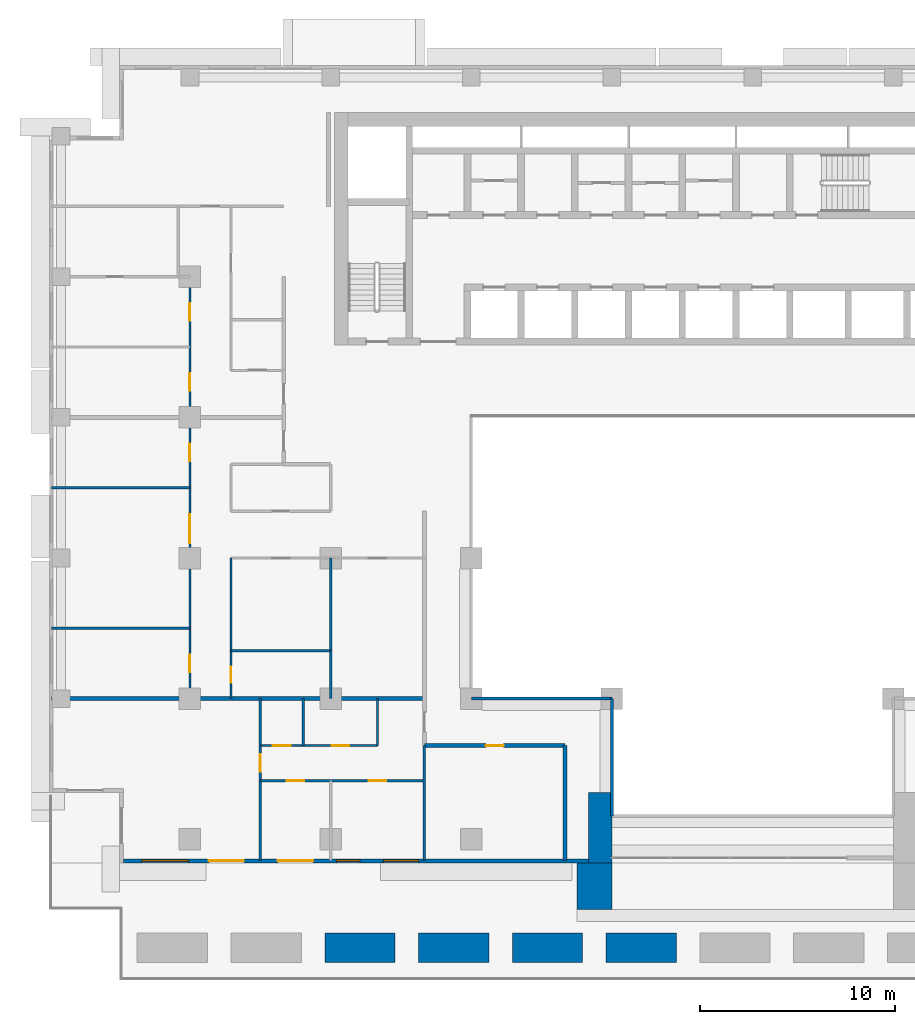
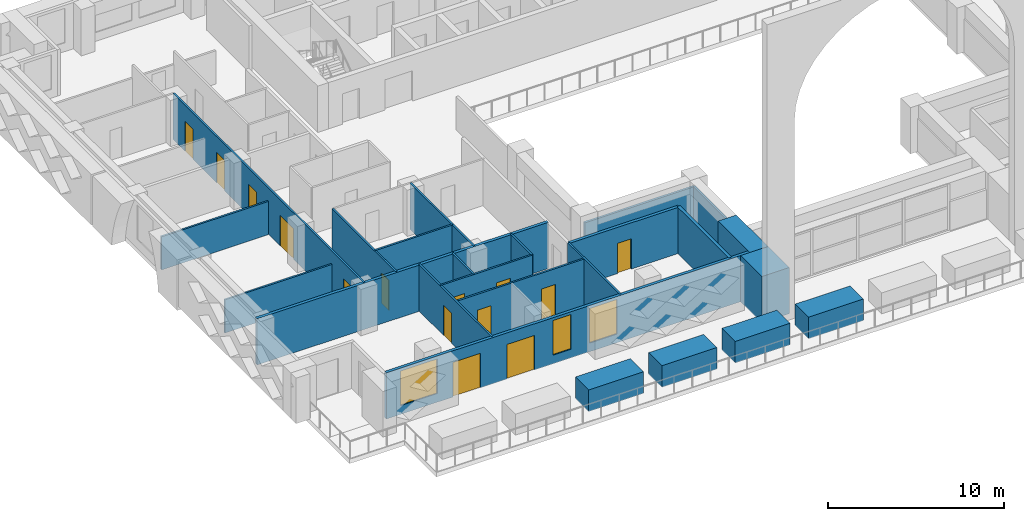
# One storey, part 6 of 17: 24 walls, 14 doors, 3 windows, 17 openings.
"""IFC4 building model written with IfcOpenShell, lengths in metres."""

from ifc_helpers import new_model, si_unit, direction, frame, frame_2d, origin, place, context, subcontext, project, spatial, rectangle, extrude, material, layer, layer_set, type_object, element, fill, save


model = new_model("IFC4")

# Units and contexts
model_context = context("Model", 3, precision=1e-05, world=origin(), true_north=direction((0.0, 1.0)))
body_context = subcontext(model_context, "Body", "Model", "MODEL_VIEW")
ifc_project = project(units=[si_unit("LENGTHUNIT", "METRE"), si_unit("AREAUNIT", "SQUARE_METRE"), si_unit("VOLUMEUNIT", "CUBIC_METRE"), si_unit("PLANEANGLEUNIT", "RADIAN"), si_unit("MASSUNIT", "GRAM", prefix="KILO")], contexts=[model_context])

# Site, building, storey
site_placement = place(None, origin())
site = spatial("IfcSite", under=ifc_project, at=site_placement, CompositionType="ELEMENT")
building_placement = place(site_placement, origin())
building = spatial("IfcBuilding", under=site, at=building_placement, Name="Saffron Iwan Residences", CompositionType="ELEMENT")
storey_placement = place(building_placement, frame((0.0, 0.0, 113.0)))
storey = spatial("IfcBuildingStorey", under=building, at=storey_placement, Name="L29", CompositionType="ELEMENT", Elevation=113.0)

# Walls
ifc_material_1 = material(Name="Fire-rated glazing", Category="glass")
ifc_layer_1 = layer(ifc_material_1, 0.14990234375)
ifc_layer_set_1 = layer_set([ifc_layer_1], Name="Fire-rated glazing")
wall_type_1 = type_object("IfcWallType", Name="Atrium glazed screen 150", PredefinedType="SOLIDWALL", material=ifc_layer_set_1)
wall_1_placement = place(storey_placement, frame((36.0, 48.0, 0.0), z_axis=(0.0, 0.0, 1.0), x_axis=(1.0, 0.0, 0.0)))
element("IfcWall", 1, at=wall_1_placement, inside=storey, type_object=wall_type_1, Name="W-L29-SCREEN-h48-36", PredefinedType="SOLIDWALL", context=body_context, shape_type="SweptSolid", body=[
    extrude(rectangle(XDim=7.199951171875, YDim=0.14990234375, at=frame_2d((3.60009765625, 0.0))), origin(), (0.0, 0.0, 1.0), 2.300048828125),
])
wall_2_placement = place(storey_placement, frame((43.199951171875, 42.0, 0.0), z_axis=(0.0, 0.0, 1.0), x_axis=(0.0, 1.0, 0.0)))
element("IfcWall", 2, at=wall_2_placement, inside=storey, type_object=wall_type_1, Name="W-L29-SCREEN-v43.2-42", PredefinedType="SOLIDWALL", context=body_context, shape_type="SweptSolid", body=[
    extrude(rectangle(XDim=6.0, YDim=0.14990234375, at=frame_2d((3.0, 0.0))), origin(), (0.0, 0.0, 1.0), 2.300048828125),
])

# Wall, openings, doors, windows
ifc_material_2 = material(Name="Concrete C40/50", Category="concrete")
ifc_layer_2 = layer(ifc_material_2, 0.199951171875)
ifc_layer_set_2 = layer_set([ifc_layer_2], Name="Concrete C40/50")
wall_type_2 = type_object("IfcWallType", Name="EXTERNAL WALL 200", PredefinedType="SOLIDWALL", material=ifc_layer_set_2)
wall_3_placement = place(storey_placement, frame((18.199951171875, 39.699951171875, 0.0), z_axis=(0.0, 0.0, 1.0), x_axis=(1.0, 0.0, 0.0)))
wall_3 = element("IfcWall", 3, at=wall_3_placement, inside=storey, type_object=wall_type_2, Name="External wall L29 F11.0", PredefinedType="SOLIDWALL", context=body_context, shape_type="SweptSolid", body=[
    extrude(rectangle(XDim=23.800048828125, YDim=0.199951171875, at=frame_2d((11.89990234375, 0.0))), origin(), (0.0, 0.0, 1.0), 3.199951171875),
])
opening_1_placement = place(wall_3_placement, frame((4.363037109375, 0.0, 0.0)))
opening_1 = element("IfcOpeningElement", 4, at=opening_1_placement, cuts=wall_3, Name="Opening BD1", PredefinedType="OPENING", context=body_context, shape_type="SweptSolid", body=[
    extrude(rectangle(XDim=1.800048828125, YDim=2.39990234375, at=frame_2d((0.89990234375, 1.199951171875))), frame((0.0, 0.10986328125, 0.0), z_axis=(0.0, -1.0, 0.0), x_axis=(1.0, 0.0, 0.0)), (0.0, 0.0, 1.0), 0.219970703125),
])
opening_2_placement = place(wall_3_placement, frame((7.89990234375, 0.0, 0.0)))
opening_2 = element("IfcOpeningElement", 5, at=opening_2_placement, cuts=wall_3, Name="Opening BD1", PredefinedType="OPENING", context=body_context, shape_type="SweptSolid", body=[
    extrude(rectangle(XDim=1.800048828125, YDim=2.39990234375, at=frame_2d((0.89990234375, 1.199951171875))), frame((0.0, 0.10986328125, 0.0), z_axis=(0.0, -1.0, 0.0), x_axis=(1.0, 0.0, 0.0)), (0.0, 0.0, 1.0), 0.219970703125),
])
opening_3_placement = place(wall_3_placement, frame((0.931396484375, 0.0, 0.60009765625)))
opening_3 = element("IfcOpeningElement", 6, at=opening_3_placement, cuts=wall_3, Name="Opening W1", PredefinedType="OPENING", context=body_context, shape_type="SweptSolid", body=[
    extrude(rectangle(XDim=2.39990234375, YDim=2.39990234375, at=frame_2d((1.199951171875, 1.199951171875))), frame((0.0, 0.10986328125, 0.0), z_axis=(0.0, -1.0, 0.0), x_axis=(1.0, 0.0, 0.0)), (0.0, 0.0, 1.0), 0.219970703125),
])
opening_4_placement = place(wall_3_placement, frame((10.89990234375, 0.0, 0.60009765625)))
opening_4 = element("IfcOpeningElement", 7, at=opening_4_placement, cuts=wall_3, Name="Opening W3", PredefinedType="OPENING", context=body_context, shape_type="SweptSolid", body=[
    extrude(rectangle(XDim=1.199951171875, YDim=2.39990234375, at=frame_2d((0.60009765625, 1.199951171875))), frame((0.0, 0.10986328125, 0.0), z_axis=(0.0, -1.0, 0.0), x_axis=(1.0, 0.0, 0.0)), (0.0, 0.0, 1.0), 0.219970703125),
])
opening_5_placement = place(wall_3_placement, frame((13.300048828125, 0.0, 0.60009765625)))
opening_5 = element("IfcOpeningElement", 8, at=opening_5_placement, cuts=wall_3, Name="Opening W8", PredefinedType="OPENING", context=body_context, shape_type="SweptSolid", body=[
    extrude(rectangle(XDim=1.800048828125, YDim=2.39990234375, at=frame_2d((0.89990234375, 1.199951171875))), frame((0.0, 0.10986328125, 0.0), z_axis=(0.0, -1.0, 0.0), x_axis=(1.0, 0.0, 0.0)), (0.0, 0.0, 1.0), 0.219970703125),
])
ifc_material_3 = material(Name="Clear glass, laminated double glazed", Category="glass")
door_type_1 = type_object("IfcDoorType", Name="BALCONY DOOR 1800 x 2400", OperationType="DOUBLE_DOOR_SLIDING", PredefinedType="DOOR", material=ifc_material_3)
door_1_placement = place(opening_1_placement, origin())
door_1 = element("IfcDoor", 9, at=door_1_placement, inside=storey, type_object=door_type_1, Name="Balcony door L29 F11.0", OperationType="DOUBLE_DOOR_SLIDING", OverallHeight=2.39990234375, OverallWidth=1.800048828125, PredefinedType="DOOR", context=body_context, shape_type="SweptSolid", body=[
    extrude(rectangle(XDim=1.800048828125, YDim=2.39990234375, at=frame_2d((0.89990234375, 1.199951171875))), frame((0.0, 0.02490234375, 0.0), z_axis=(0.0, -1.0, 0.0), x_axis=(1.0, 0.0, 0.0)), (0.0, 0.0, 1.0), 0.050048828125),
])
fill(opening_1, door_1)
door_2_placement = place(opening_2_placement, origin())
door_2 = element("IfcDoor", 10, at=door_2_placement, inside=storey, type_object=door_type_1, Name="Balcony door L29 F11.1", OperationType="DOUBLE_DOOR_SLIDING", OverallHeight=2.39990234375, OverallWidth=1.800048828125, PredefinedType="DOOR", context=body_context, shape_type="SweptSolid", body=[
    extrude(rectangle(XDim=1.800048828125, YDim=2.39990234375, at=frame_2d((0.89990234375, 1.199951171875))), frame((0.0, 0.02490234375, 0.0), z_axis=(0.0, -1.0, 0.0), x_axis=(1.0, 0.0, 0.0)), (0.0, 0.0, 1.0), 0.050048828125),
])
fill(opening_2, door_2)
window_type_1 = type_object("IfcWindowType", Name="WINDOW 1200 x 2400", PartitioningType="SINGLE_PANEL", PredefinedType="WINDOW", material=ifc_material_3)
window_1_placement = place(opening_4_placement, origin())
window_1 = element("IfcWindow", 11, at=window_1_placement, inside=storey, type_object=window_type_1, Name="Window L29 F11.3", OverallHeight=2.39990234375, OverallWidth=1.199951171875, PartitioningType="SINGLE_PANEL", PredefinedType="WINDOW", context=body_context, shape_type="SweptSolid", body=[
    extrude(rectangle(XDim=1.199951171875, YDim=2.39990234375, at=frame_2d((0.60009765625, 1.199951171875))), frame((0.0, 0.030029296875, 0.0), z_axis=(0.0, -1.0, 0.0), x_axis=(1.0, 0.0, 0.0)), (0.0, 0.0, 1.0), 0.06005859375),
])
fill(opening_4, window_1)
window_type_2 = type_object("IfcWindowType", Name="WINDOW 1800 x 2400", PartitioningType="DOUBLE_PANEL_VERTICAL", PredefinedType="WINDOW", material=ifc_material_3)
window_2_placement = place(opening_5_placement, origin())
window_2 = element("IfcWindow", 12, at=window_2_placement, inside=storey, type_object=window_type_2, Name="Window L29 F11.4", OverallHeight=2.39990234375, OverallWidth=1.800048828125, PartitioningType="DOUBLE_PANEL_VERTICAL", PredefinedType="WINDOW", context=body_context, shape_type="SweptSolid", body=[
    extrude(rectangle(XDim=1.800048828125, YDim=2.39990234375, at=frame_2d((0.89990234375, 1.199951171875))), frame((0.0, 0.030029296875, 0.0), z_axis=(0.0, -1.0, 0.0), x_axis=(1.0, 0.0, 0.0)), (0.0, 0.0, 1.0), 0.06005859375),
])
fill(opening_5, window_2)
window_type_3 = type_object("IfcWindowType", Name="WINDOW 2400 x 2400", PartitioningType="DOUBLE_PANEL_VERTICAL", PredefinedType="WINDOW", material=ifc_material_3)
window_3_placement = place(opening_3_placement, origin())
window_3 = element("IfcWindow", 13, at=window_3_placement, inside=storey, type_object=window_type_3, Name="Window L29 F11.2", OverallHeight=2.39990234375, OverallWidth=2.39990234375, PartitioningType="DOUBLE_PANEL_VERTICAL", PredefinedType="WINDOW", context=body_context, shape_type="SweptSolid", body=[
    extrude(rectangle(XDim=2.39990234375, YDim=2.39990234375, at=frame_2d((1.199951171875, 1.199951171875))), frame((0.0, 0.030029296875, 0.0), z_axis=(0.0, -1.0, 0.0), x_axis=(1.0, 0.0, 0.0)), (0.0, 0.0, 1.0), 0.06005859375),
])
fill(opening_3, window_3)

# Wall
ifc_material_4 = material(Name="Fire-rated gypsum board wall")
ifc_layer_3 = layer(ifc_material_4, 0.199951171875)
ifc_layer_set_3 = layer_set([ifc_layer_3], Name="Fire-rated gypsum board wall")
wall_type_3 = type_object("IfcWallType", Name="Flat demising wall 200", PredefinedType="SOLIDWALL", material=ifc_layer_set_3)
wall_4_placement = place(storey_placement, frame((14.52490234375, 48.0, 0.0), z_axis=(0.0, 0.0, 1.0), x_axis=(1.0, 0.0, 0.0)))
element("IfcWall", 14, at=wall_4_placement, inside=storey, type_object=wall_type_3, Name="W-L29-DEMISE-h48-14.525", PredefinedType="SOLIDWALL", context=body_context, shape_type="SweptSolid", body=[
    extrude(rectangle(XDim=19.0751953125, YDim=0.199951171875, at=frame_2d((9.53759765625, 0.0))), origin(), (0.0, 0.0, 1.0), 3.199951171875),
])

# Wall, openings, doors
ifc_material_5 = material(Name="Gypsum board partition")
ifc_layer_4 = layer(ifc_material_5, 0.1201171875)
ifc_layer_set_4 = layer_set([ifc_layer_4], Name="Gypsum board partition")
wall_type_4 = type_object("IfcWallType", Name="Flat partition 120", PredefinedType="PARTITIONING", material=ifc_layer_set_4)
wall_5_placement = place(storey_placement, frame((25.199951171875, 43.800048828125, 0.0), z_axis=(0.0, 0.0, 1.0), x_axis=(1.0, 0.0, 0.0)))
wall_5 = element("IfcWall", 15, at=wall_5_placement, inside=storey, type_object=wall_type_4, Name="W-L29-PART-h43.8-25.2", PredefinedType="PARTITIONING", context=body_context, shape_type="SweptSolid", body=[
    extrude(rectangle(XDim=8.400146484375, YDim=0.1201171875, at=frame_2d((4.2001953125, 0.0))), origin(), (0.0, 0.0, 1.0), 3.199951171875),
])
opening_6_placement = place(wall_5_placement, frame((1.35009765625, 0.0, 0.0)))
opening_6 = element("IfcOpeningElement", 16, at=opening_6_placement, cuts=wall_5, Name="Opening FD2", PredefinedType="OPENING", context=body_context, shape_type="SweptSolid", body=[
    extrude(rectangle(XDim=0.89990234375, YDim=2.10009765625, at=frame_2d((0.449951171875, 1.050048828125))), frame((0.0, 0.070068359375, 0.0), z_axis=(0.0, -1.0, 0.0), x_axis=(1.0, 0.0, 0.0)), (0.0, 0.0, 1.0), 0.14013671875),
])
opening_7_placement = place(wall_5_placement, frame((5.550048828125, 0.0, 0.0)))
opening_7 = element("IfcOpeningElement", 17, at=opening_7_placement, cuts=wall_5, Name="Opening FD2", PredefinedType="OPENING", context=body_context, shape_type="SweptSolid", body=[
    extrude(rectangle(XDim=0.89990234375, YDim=2.10009765625, at=frame_2d((0.449951171875, 1.050048828125))), frame((0.0, 0.070068359375, 0.0), z_axis=(0.0, -1.0, 0.0), x_axis=(1.0, 0.0, 0.0)), (0.0, 0.0, 1.0), 0.14013671875),
])
ifc_material_6 = material(Name="Timber door", Category="wood")
door_type_2 = type_object("IfcDoorType", Name="Flat door 900", OperationType="NOTDEFINED", PredefinedType="DOOR", material=ifc_material_6)
door_3_placement = place(opening_6_placement, origin())
door_3 = element("IfcDoor", 18, at=door_3_placement, inside=storey, type_object=door_type_2, Name="Door L29-003", OperationType="SINGLE_SWING_LEFT", OverallHeight=2.10009765625, OverallWidth=0.89990234375, PredefinedType="DOOR", context=body_context, shape_type="SweptSolid", body=[
    extrude(rectangle(XDim=0.89990234375, YDim=2.10009765625, at=frame_2d((0.449951171875, 1.050048828125))), frame((0.0, 0.02490234375, 0.0), z_axis=(0.0, -1.0, 0.0), x_axis=(1.0, 0.0, 0.0)), (0.0, 0.0, 1.0), 0.050048828125),
])
fill(opening_6, door_3)
door_4_placement = place(opening_7_placement, origin())
door_4 = element("IfcDoor", 19, at=door_4_placement, inside=storey, type_object=door_type_2, Name="Door L29-004", OperationType="SINGLE_SWING_LEFT", OverallHeight=2.10009765625, OverallWidth=0.89990234375, PredefinedType="DOOR", context=body_context, shape_type="SweptSolid", body=[
    extrude(rectangle(XDim=0.89990234375, YDim=2.10009765625, at=frame_2d((0.449951171875, 1.050048828125))), frame((0.0, 0.02490234375, 0.0), z_axis=(0.0, -1.0, 0.0), x_axis=(1.0, 0.0, 0.0)), (0.0, 0.0, 1.0), 0.050048828125),
])
fill(opening_7, door_4)

wall_6_placement = place(storey_placement, frame((25.199951171875, 45.60009765625, 0.0), z_axis=(0.0, 0.0, 1.0), x_axis=(1.0, 0.0, 0.0)))
wall_6 = element("IfcWall", 20, at=wall_6_placement, inside=storey, type_object=wall_type_4, Name="W-L29-PART-h45.6-25.2", PredefinedType="PARTITIONING", context=body_context, shape_type="SweptSolid", body=[
    extrude(rectangle(XDim=6.0, YDim=0.1201171875, at=frame_2d((3.0, 0.0))), origin(), (0.0, 0.0, 1.0), 3.199951171875),
])
opening_8_placement = place(wall_6_placement, frame((0.64990234375, 0.0, 0.0)))
opening_8 = element("IfcOpeningElement", 21, at=opening_8_placement, cuts=wall_6, Name="Opening FD2", PredefinedType="OPENING", context=body_context, shape_type="SweptSolid", body=[
    extrude(rectangle(XDim=0.89990234375, YDim=2.10009765625, at=frame_2d((0.449951171875, 1.050048828125))), frame((0.0, 0.070068359375, 0.0), z_axis=(0.0, -1.0, 0.0), x_axis=(1.0, 0.0, 0.0)), (0.0, 0.0, 1.0), 0.14013671875),
])
opening_9_placement = place(wall_6_placement, frame((3.64990234375, 0.0, 0.0)))
opening_9 = element("IfcOpeningElement", 22, at=opening_9_placement, cuts=wall_6, Name="Opening FD2", PredefinedType="OPENING", context=body_context, shape_type="SweptSolid", body=[
    extrude(rectangle(XDim=0.89990234375, YDim=2.10009765625, at=frame_2d((0.449951171875, 1.050048828125))), frame((0.0, 0.070068359375, 0.0), z_axis=(0.0, -1.0, 0.0), x_axis=(1.0, 0.0, 0.0)), (0.0, 0.0, 1.0), 0.14013671875),
])
door_5_placement = place(opening_8_placement, origin())
door_5 = element("IfcDoor", 23, at=door_5_placement, inside=storey, type_object=door_type_2, Name="Door L29-005", OperationType="SINGLE_SWING_RIGHT", OverallHeight=2.10009765625, OverallWidth=0.89990234375, PredefinedType="DOOR", context=body_context, shape_type="SweptSolid", body=[
    extrude(rectangle(XDim=0.89990234375, YDim=2.10009765625, at=frame_2d((0.449951171875, 1.050048828125))), frame((0.0, 0.02490234375, 0.0), z_axis=(0.0, -1.0, 0.0), x_axis=(1.0, 0.0, 0.0)), (0.0, 0.0, 1.0), 0.050048828125),
])
fill(opening_8, door_5)
door_6_placement = place(opening_9_placement, origin())
door_6 = element("IfcDoor", 24, at=door_6_placement, inside=storey, type_object=door_type_2, Name="Door L29-006", OperationType="SINGLE_SWING_LEFT", OverallHeight=2.10009765625, OverallWidth=0.89990234375, PredefinedType="DOOR", context=body_context, shape_type="SweptSolid", body=[
    extrude(rectangle(XDim=0.89990234375, YDim=2.10009765625, at=frame_2d((0.449951171875, 1.050048828125))), frame((0.0, 0.02490234375, 0.0), z_axis=(0.0, -1.0, 0.0), x_axis=(1.0, 0.0, 0.0)), (0.0, 0.0, 1.0), 0.050048828125),
])
fill(opening_9, door_6)

# Walls
wall_7_placement = place(storey_placement, frame((23.699951171875, 50.449951171875, 0.0), z_axis=(0.0, 0.0, 1.0), x_axis=(1.0, 0.0, 0.0)))
element("IfcWall", 25, at=wall_7_placement, inside=storey, type_object=wall_type_4, Name="W-L29-PART-h50.45-23.7", PredefinedType="PARTITIONING", context=body_context, shape_type="SweptSolid", body=[
    extrude(rectangle(XDim=5.10009765625, YDim=0.1201171875, at=frame_2d((2.550048828125, 0.0))), origin(), (0.0, 0.0, 1.0), 3.199951171875),
])
for number, where, z_axis, x_axis, name in (
    (26, (14.52490234375, 51.60009765625, 0.0), (0.0, 0.0, 1.0), (1.0, 0.0, 0.0), "W-L29-PART-h51.6-14.525"),
    (27, (14.52490234375, 58.800048828125, 0.0), (0.0, 0.0, 1.0), (1.0, 0.0, 0.0), "W-L29-PART-h58.8-14.525"),
):
    element("IfcWall", number, at=place(storey_placement, frame(where, z_axis=z_axis, x_axis=x_axis)), inside=storey, type_object=wall_type_4, Name=name, PredefinedType="PARTITIONING", context=body_context, shape_type="SweptSolid", body=[
        extrude(rectangle(XDim=7.0751953125, YDim=0.1201171875, at=frame_2d((3.53759765625, 0.0))), origin(), (0.0, 0.0, 1.0), 2.300048828125),
    ])

# Wall, openings, doors
wall_8_placement = place(storey_placement, frame((21.60009765625, 48.0, 0.0), z_axis=(0.0, 0.0, 1.0), x_axis=(0.0, 1.0, 0.0)))
wall_8 = element("IfcWall", 28, at=wall_8_placement, inside=storey, type_object=wall_type_4, Name="W-L29-PART-v21.6-48", PredefinedType="PARTITIONING", context=body_context, shape_type="SweptSolid", body=[
    extrude(rectangle(XDim=21.60009765625, YDim=0.1201171875, at=frame_2d((10.800048828125, 0.0))), origin(), (0.0, 0.0, 1.0), 3.199951171875),
])
opening_10_placement = place(wall_8_placement, frame((1.35009765625, 0.0, 0.0)))
opening_10 = element("IfcOpeningElement", 29, at=opening_10_placement, cuts=wall_8, Name="Opening FD2", PredefinedType="OPENING", context=body_context, shape_type="SweptSolid", body=[
    extrude(rectangle(XDim=0.89990234375, YDim=2.10009765625, at=frame_2d((0.449951171875, 1.050048828125))), frame((0.0, 0.070068359375, 0.0), z_axis=(0.0, -1.0, 0.0), x_axis=(1.0, 0.0, 0.0)), (0.0, 0.0, 1.0), 0.14013671875),
])
opening_11_placement = place(wall_8_placement, frame((7.949951171875, 0.0, 0.0)))
opening_11 = element("IfcOpeningElement", 30, at=opening_11_placement, cuts=wall_8, Name="Opening FD4", PredefinedType="OPENING", context=body_context, shape_type="SweptSolid", body=[
    extrude(rectangle(XDim=1.5, YDim=2.10009765625, at=frame_2d((0.75, 1.050048828125))), frame((0.0, 0.070068359375, 0.0), z_axis=(0.0, -1.0, 0.0), x_axis=(1.0, 0.0, 0.0)), (0.0, 0.0, 1.0), 0.14013671875),
])
opening_12_placement = place(wall_8_placement, frame((12.14990234375, 0.0, 0.0)))
opening_12 = element("IfcOpeningElement", 31, at=opening_12_placement, cuts=wall_8, Name="Opening FD2", PredefinedType="OPENING", context=body_context, shape_type="SweptSolid", body=[
    extrude(rectangle(XDim=0.89990234375, YDim=2.10009765625, at=frame_2d((0.449951171875, 1.050048828125))), frame((0.0, 0.070068359375, 0.0), z_axis=(0.0, -1.0, 0.0), x_axis=(1.0, 0.0, 0.0)), (0.0, 0.0, 1.0), 0.14013671875),
])
opening_13_placement = place(wall_8_placement, frame((15.75, 0.0, 0.0)))
opening_13 = element("IfcOpeningElement", 32, at=opening_13_placement, cuts=wall_8, Name="Opening FD2", PredefinedType="OPENING", context=body_context, shape_type="SweptSolid", body=[
    extrude(rectangle(XDim=0.89990234375, YDim=2.10009765625, at=frame_2d((0.449951171875, 1.050048828125))), frame((0.0, 0.070068359375, 0.0), z_axis=(0.0, -1.0, 0.0), x_axis=(1.0, 0.0, 0.0)), (0.0, 0.0, 1.0), 0.14013671875),
])
opening_14_placement = place(wall_8_placement, frame((19.35009765625, 0.0, 0.0)))
opening_14 = element("IfcOpeningElement", 33, at=opening_14_placement, cuts=wall_8, Name="Opening FD2", PredefinedType="OPENING", context=body_context, shape_type="SweptSolid", body=[
    extrude(rectangle(XDim=0.89990234375, YDim=2.10009765625, at=frame_2d((0.449951171875, 1.050048828125))), frame((0.0, 0.070068359375, 0.0), z_axis=(0.0, -1.0, 0.0), x_axis=(1.0, 0.0, 0.0)), (0.0, 0.0, 1.0), 0.14013671875),
])
door_type_3 = type_object("IfcDoorType", Name="Double door 1500", OperationType="NOTDEFINED", PredefinedType="DOOR", material=ifc_material_6)
door_7_placement = place(opening_11_placement, origin())
door_7 = element("IfcDoor", 34, at=door_7_placement, inside=storey, type_object=door_type_3, Name="Door L29-010", OperationType="SINGLE_SWING_RIGHT", OverallHeight=2.10009765625, OverallWidth=1.5, PredefinedType="DOOR", context=body_context, shape_type="SweptSolid", body=[
    extrude(rectangle(XDim=1.5, YDim=2.10009765625, at=frame_2d((0.75, 1.050048828125))), frame((0.0, 0.02490234375, 0.0), z_axis=(0.0, -1.0, 0.0), x_axis=(1.0, 0.0, 0.0)), (0.0, 0.0, 1.0), 0.050048828125),
])
fill(opening_11, door_7)
door_8_placement = place(opening_10_placement, origin())
door_8 = element("IfcDoor", 35, at=door_8_placement, inside=storey, type_object=door_type_2, Name="Door L29-009", OperationType="SINGLE_SWING_LEFT", OverallHeight=2.10009765625, OverallWidth=0.89990234375, PredefinedType="DOOR", context=body_context, shape_type="SweptSolid", body=[
    extrude(rectangle(XDim=0.89990234375, YDim=2.10009765625, at=frame_2d((0.449951171875, 1.050048828125))), frame((0.0, 0.02490234375, 0.0), z_axis=(0.0, -1.0, 0.0), x_axis=(1.0, 0.0, 0.0)), (0.0, 0.0, 1.0), 0.050048828125),
])
fill(opening_10, door_8)
door_9_placement = place(opening_12_placement, origin())
door_9 = element("IfcDoor", 36, at=door_9_placement, inside=storey, type_object=door_type_2, Name="Door L29-011", OperationType="SINGLE_SWING_RIGHT", OverallHeight=2.10009765625, OverallWidth=0.89990234375, PredefinedType="DOOR", context=body_context, shape_type="SweptSolid", body=[
    extrude(rectangle(XDim=0.89990234375, YDim=2.10009765625, at=frame_2d((0.449951171875, 1.050048828125))), frame((0.0, 0.02490234375, 0.0), z_axis=(0.0, -1.0, 0.0), x_axis=(1.0, 0.0, 0.0)), (0.0, 0.0, 1.0), 0.050048828125),
])
fill(opening_12, door_9)
door_10_placement = place(opening_13_placement, origin())
door_10 = element("IfcDoor", 37, at=door_10_placement, inside=storey, type_object=door_type_2, Name="Door L29-023", OperationType="SINGLE_SWING_RIGHT", OverallHeight=2.10009765625, OverallWidth=0.89990234375, PredefinedType="DOOR", context=body_context, shape_type="SweptSolid", body=[
    extrude(rectangle(XDim=0.89990234375, YDim=2.10009765625, at=frame_2d((0.449951171875, 1.050048828125))), frame((0.0, 0.02490234375, 0.0), z_axis=(0.0, -1.0, 0.0), x_axis=(1.0, 0.0, 0.0)), (0.0, 0.0, 1.0), 0.050048828125),
])
fill(opening_13, door_10)
door_11_placement = place(opening_14_placement, origin())
door_11 = element("IfcDoor", 38, at=door_11_placement, inside=storey, type_object=door_type_2, Name="Door L29-024", OperationType="SINGLE_SWING_LEFT", OverallHeight=2.10009765625, OverallWidth=0.89990234375, PredefinedType="DOOR", context=body_context, shape_type="SweptSolid", body=[
    extrude(rectangle(XDim=0.89990234375, YDim=2.10009765625, at=frame_2d((0.449951171875, 1.050048828125))), frame((0.0, 0.02490234375, 0.0), z_axis=(0.0, -1.0, 0.0), x_axis=(1.0, 0.0, 0.0)), (0.0, 0.0, 1.0), 0.050048828125),
])
fill(opening_14, door_11)

# Wall, opening, door
wall_9_placement = place(storey_placement, frame((23.699951171875, 48.0, 0.0), z_axis=(0.0, 0.0, 1.0), x_axis=(0.0, 1.0, 0.0)))
wall_9 = element("IfcWall", 39, at=wall_9_placement, inside=storey, type_object=wall_type_4, Name="W-L29-PART-v23.7-48", PredefinedType="PARTITIONING", context=body_context, shape_type="SweptSolid", body=[
    extrude(rectangle(XDim=7.199951171875, YDim=0.1201171875, at=frame_2d((3.60009765625, 0.0))), origin(), (0.0, 0.0, 1.0), 3.199951171875),
])
opening_15_placement = place(wall_9_placement, frame((0.824951171875, 0.0, 0.0)))
opening_15 = element("IfcOpeningElement", 40, at=opening_15_placement, cuts=wall_9, Name="Opening FD3", PredefinedType="OPENING", context=body_context, shape_type="SweptSolid", body=[
    extrude(rectangle(XDim=0.800048828125, YDim=2.10009765625, at=frame_2d((0.39990234375, 1.050048828125))), frame((0.0, 0.070068359375, 0.0), z_axis=(0.0, -1.0, 0.0), x_axis=(1.0, 0.0, 0.0)), (0.0, 0.0, 1.0), 0.14013671875),
])
door_type_4 = type_object("IfcDoorType", Name="Bathroom door 800", OperationType="NOTDEFINED", PredefinedType="DOOR", material=ifc_material_6)
door_12_placement = place(opening_15_placement, origin())
door_12 = element("IfcDoor", 41, at=door_12_placement, inside=storey, type_object=door_type_4, Name="Door L29-012", OperationType="SINGLE_SWING_LEFT", OverallHeight=2.10009765625, OverallWidth=0.800048828125, PredefinedType="DOOR", context=body_context, shape_type="SweptSolid", body=[
    extrude(rectangle(XDim=0.800048828125, YDim=2.10009765625, at=frame_2d((0.39990234375, 1.050048828125))), frame((0.0, 0.02490234375, 0.0), z_axis=(0.0, -1.0, 0.0), x_axis=(1.0, 0.0, 0.0)), (0.0, 0.0, 1.0), 0.050048828125),
])
fill(opening_15, door_12)

wall_10_placement = place(storey_placement, frame((25.199951171875, 39.72509765625, 0.0), z_axis=(0.0, 0.0, 1.0), x_axis=(0.0, 1.0, 0.0)))
wall_10 = element("IfcWall", 42, at=wall_10_placement, inside=storey, type_object=wall_type_4, Name="W-L29-PART-v25.2-39.725", PredefinedType="PARTITIONING", context=body_context, shape_type="SweptSolid", body=[
    extrude(rectangle(XDim=8.27490234375, YDim=0.1201171875, at=frame_2d((4.137451171875, 0.0))), origin(), (0.0, 0.0, 1.0), 3.199951171875),
])
opening_16_placement = place(wall_10_placement, frame((4.52490234375, 0.0, 0.0)))
opening_16 = element("IfcOpeningElement", 43, at=opening_16_placement, cuts=wall_10, Name="Opening FD2", PredefinedType="OPENING", context=body_context, shape_type="SweptSolid", body=[
    extrude(rectangle(XDim=0.89990234375, YDim=2.10009765625, at=frame_2d((0.449951171875, 1.050048828125))), frame((0.0, 0.070068359375, 0.0), z_axis=(0.0, -1.0, 0.0), x_axis=(1.0, 0.0, 0.0)), (0.0, 0.0, 1.0), 0.14013671875),
])
door_13_placement = place(opening_16_placement, origin())
door_13 = element("IfcDoor", 44, at=door_13_placement, inside=storey, type_object=door_type_2, Name="Door L29-002", OperationType="SINGLE_SWING_RIGHT", OverallHeight=2.10009765625, OverallWidth=0.89990234375, PredefinedType="DOOR", context=body_context, shape_type="SweptSolid", body=[
    extrude(rectangle(XDim=0.89990234375, YDim=2.10009765625, at=frame_2d((0.449951171875, 1.050048828125))), frame((0.0, 0.02490234375, 0.0), z_axis=(0.0, -1.0, 0.0), x_axis=(1.0, 0.0, 0.0)), (0.0, 0.0, 1.0), 0.050048828125),
])
fill(opening_16, door_13)

# Walls
wall_11_placement = place(storey_placement, frame((27.39990234375, 45.60009765625, 0.0), z_axis=(0.0, 0.0, 1.0), x_axis=(0.0, 1.0, 0.0)))
element("IfcWall", 45, at=wall_11_placement, inside=storey, type_object=wall_type_4, Name="W-L29-PART-v27.4-45.6", PredefinedType="PARTITIONING", context=body_context, shape_type="SweptSolid", body=[
    extrude(rectangle(XDim=2.39990234375, YDim=0.1201171875, at=frame_2d((1.199951171875, 0.0))), origin(), (0.0, 0.0, 1.0), 3.199951171875),
])
wall_12_placement = place(storey_placement, frame((28.800048828125, 48.0, 0.0), z_axis=(0.0, 0.0, 1.0), x_axis=(0.0, 1.0, 0.0)))
element("IfcWall", 46, at=wall_12_placement, inside=storey, type_object=wall_type_4, Name="W-L29-PART-v28.8-48", PredefinedType="PARTITIONING", context=body_context, shape_type="SweptSolid", body=[
    extrude(rectangle(XDim=7.199951171875, YDim=0.1201171875, at=frame_2d((3.60009765625, 0.0))), origin(), (0.0, 0.0, 1.0), 3.199951171875),
])
wall_13_placement = place(storey_placement, frame((31.199951171875, 45.60009765625, 0.0), z_axis=(0.0, 0.0, 1.0), x_axis=(0.0, 1.0, 0.0)))
element("IfcWall", 47, at=wall_13_placement, inside=storey, type_object=wall_type_4, Name="W-L29-PART-v31.2-45.6", PredefinedType="PARTITIONING", context=body_context, shape_type="SweptSolid", body=[
    extrude(rectangle(XDim=2.39990234375, YDim=0.1201171875, at=frame_2d((1.199951171875, 0.0))), origin(), (0.0, 0.0, 1.0), 3.199951171875),
])
wall_14_placement = place(storey_placement, frame((33.60009765625, 39.72509765625, 0.0), z_axis=(0.0, 0.0, 1.0), x_axis=(0.0, 1.0, 0.0)))
element("IfcWall", 48, at=wall_14_placement, inside=storey, type_object=wall_type_4, Name="W-L29-PART-v33.6-39.725", PredefinedType="PARTITIONING", context=body_context, shape_type="SweptSolid", body=[
    extrude(rectangle(XDim=5.875, YDim=0.1201171875, at=frame_2d((2.9375, 0.0))), origin(), (0.0, 0.0, 1.0), 3.199951171875),
])

# Wall, opening, door
ifc_layer_5 = layer(ifc_material_4, 0.199951171875)
ifc_layer_set_5 = layer_set([ifc_layer_5], Name="Fire-rated gypsum board wall")
wall_type_5 = type_object("IfcWallType", Name="Gallery wall 200", PredefinedType="SOLIDWALL", material=ifc_layer_set_5)
wall_15_placement = place(storey_placement, frame((33.60009765625, 45.60009765625, 0.0), z_axis=(0.0, 0.0, 1.0), x_axis=(1.0, 0.0, 0.0)))
wall_15 = element("IfcWall", 49, at=wall_15_placement, inside=storey, type_object=wall_type_5, Name="W-L29-CORR-h45.6-33.6", PredefinedType="SOLIDWALL", context=body_context, shape_type="SweptSolid", body=[
    extrude(rectangle(XDim=7.199951171875, YDim=0.199951171875, at=frame_2d((3.60009765625, 0.0))), origin(), (0.0, 0.0, 1.0), 3.199951171875),
])
opening_17_placement = place(wall_15_placement, frame((3.14990234375, 0.0, 0.0)))
opening_17 = element("IfcOpeningElement", 50, at=opening_17_placement, cuts=wall_15, Name="Opening FD2", PredefinedType="OPENING", context=body_context, shape_type="SweptSolid", body=[
    extrude(rectangle(XDim=0.89990234375, YDim=2.10009765625, at=frame_2d((0.449951171875, 1.050048828125))), frame((0.0, 0.10986328125, 0.0), z_axis=(0.0, -1.0, 0.0), x_axis=(1.0, 0.0, 0.0)), (0.0, 0.0, 1.0), 0.219970703125),
])
door_14_placement = place(opening_17_placement, origin())
door_14 = element("IfcDoor", 51, at=door_14_placement, inside=storey, type_object=door_type_2, Name="Door L29-007", OperationType="SINGLE_SWING_LEFT", OverallHeight=2.10009765625, OverallWidth=0.89990234375, PredefinedType="DOOR", context=body_context, shape_type="SweptSolid", body=[
    extrude(rectangle(XDim=0.89990234375, YDim=2.10009765625, at=frame_2d((0.449951171875, 1.050048828125))), frame((0.0, 0.02490234375, 0.0), z_axis=(0.0, -1.0, 0.0), x_axis=(1.0, 0.0, 0.0)), (0.0, 0.0, 1.0), 0.050048828125),
])
fill(opening_17, door_14)

# Walls
wall_16_placement = place(storey_placement, frame((40.800048828125, 39.72509765625, 0.0), z_axis=(0.0, 0.0, 1.0), x_axis=(0.0, 1.0, 0.0)))
element("IfcWall", 52, at=wall_16_placement, inside=storey, type_object=wall_type_5, Name="W-L29-CORR-v40.8-39.725", PredefinedType="SOLIDWALL", context=body_context, shape_type="SweptSolid", body=[
    extrude(rectangle(XDim=5.875, YDim=0.199951171875, at=frame_2d((2.9375, 0.0))), origin(), (0.0, 0.0, 1.0), 3.199951171875),
])
ifc_material_7 = material(Name="Terracotta screen, precast concrete C40/50", Category="masonry")
ifc_layer_6 = layer(ifc_material_7, 1.800048828125)
ifc_layer_set_6 = layer_set([ifc_layer_6], Name="Terracotta screen, precast concrete C40/50")
wall_type_6 = type_object("IfcWallType", Name="Portal pier, precast concrete 1800 (tower)", PredefinedType="SOLIDWALL", material=ifc_layer_set_6)
wall_17_placement = place(storey_placement, frame((42.300048828125, 37.199951171875, 0.0), z_axis=(0.0, 0.0, 1.0), x_axis=(0.0, 1.0, 0.0)))
element("IfcWall", 53, at=wall_17_placement, inside=storey, type_object=wall_type_6, Name="Portal pier W L29", PredefinedType="SOLIDWALL", context=body_context, shape_type="SweptSolid", body=[
    extrude(rectangle(XDim=2.400146484375, YDim=1.800048828125, at=frame_2d((1.2001953125, 0.0))), origin(), (0.0, 0.0, 1.0), 3.199951171875),
])
ifc_layer_7 = layer(ifc_material_2, 1.5)
ifc_layer_set_7 = layer_set([ifc_layer_7], Name="Concrete C40/50")
wall_type_7 = type_object("IfcWallType", Name="SKY GARDEN PLANTER 1500", PredefinedType="STANDARD", material=ifc_layer_set_7)
wall_18_placement = place(storey_placement, frame((28.5, 35.25, 0.0), z_axis=(0.0, 0.0, 1.0), x_axis=(1.0, 0.0, 0.0)))
element("IfcWall", 54, at=wall_18_placement, inside=storey, type_object=wall_type_7, Name="PLANTER terrace 3", PredefinedType="STANDARD", context=body_context, shape_type="SweptSolid", body=[
    extrude(rectangle(XDim=3.60009765625, YDim=1.5, at=frame_2d((1.800048828125, 0.0))), origin(), (0.0, 0.0, 1.0), 1.5),
])
for number, where, z_axis, x_axis, name in (
    (55, (33.300048828125, 35.25, 0.0), (0.0, 0.0, 1.0), (1.0, 0.0, 0.0), "PLANTER terrace 4"),
    (56, (38.10009765625, 35.25, 0.0), (0.0, 0.0, 1.0), (1.0, 0.0, 0.0), "PLANTER terrace 5"),
):
    element("IfcWall", number, at=place(storey_placement, frame(where, z_axis=z_axis, x_axis=x_axis)), inside=storey, type_object=wall_type_7, Name=name, PredefinedType="STANDARD", context=body_context, shape_type="SweptSolid", body=[
        extrude(rectangle(XDim=3.599853515625, YDim=1.5, at=frame_2d((1.7998046875, 0.0))), origin(), (0.0, 0.0, 1.0), 1.5),
    ])
wall_19_placement = place(storey_placement, frame((42.89990234375, 35.25, 0.0), z_axis=(0.0, 0.0, 1.0), x_axis=(1.0, 0.0, 0.0)))
element("IfcWall", 57, at=wall_19_placement, inside=storey, type_object=wall_type_7, Name="PLANTER terrace 6", PredefinedType="STANDARD", context=body_context, shape_type="SweptSolid", body=[
    extrude(rectangle(XDim=3.60009765625, YDim=1.5, at=frame_2d((1.800048828125, 0.0))), origin(), (0.0, 0.0, 1.0), 1.5),
])
ifc_material_8 = material(Name="Concrete C50/60", Category="concrete")
ifc_layer_8 = layer(ifc_material_8, 1.199951171875)
ifc_layer_set_8 = layer_set([ifc_layer_8], Name="Concrete C50/60")
wall_type_8 = type_object("IfcWallType", Name="WALL IWAN PIER 1200 C50/60 3200 HIGH", PredefinedType="SHEAR", material=ifc_layer_set_8)
wall_20_placement = place(storey_placement, frame((42.60009765625, 39.60009765625, 0.0), z_axis=(0.0, 0.0, 1.0), x_axis=(0.0, 1.0, 0.0)))
element("IfcWall", 58, at=wall_20_placement, inside=storey, type_object=wall_type_8, Name="IWAN PIER", PredefinedType="SHEAR", context=body_context, shape_type="SweptSolid", body=[
    extrude(rectangle(XDim=3.599853515625, YDim=1.199951171875, at=frame_2d((1.7998046875, 0.0))), origin(), (0.0, 0.0, 1.0), 3.199951171875),
])

save(model, "model.ifc")
